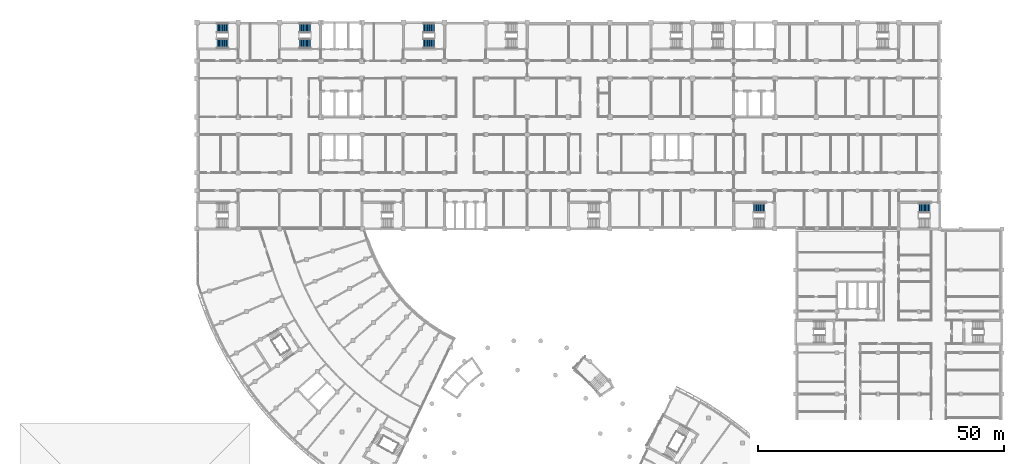
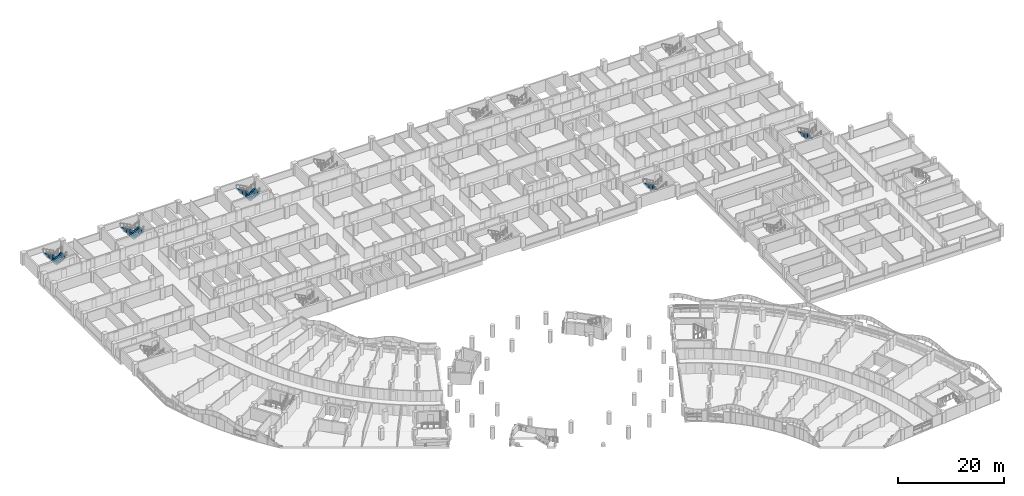
# One storey, part 66 of 89: 8 stair flights, 5 elements without a shape of their own.
"""IFC4 building model written with IfcOpenShell, lengths in metres."""

from ifc_helpers import new_model, si_unit, direction, frame, origin, place, context, subcontext, project, spatial, polyline, outline, extrude, material, type_object, element, aggregate, save


model = new_model("IFC4")

# Units and contexts
model_context = context("Model", 3, precision=1e-05, world=origin(), true_north=direction((0.0, 1.0)))
body_context = subcontext(model_context, "Body", "Model", "MODEL_VIEW")
ifc_project = project(units=[si_unit("LENGTHUNIT", "METRE"), si_unit("AREAUNIT", "SQUARE_METRE"), si_unit("VOLUMEUNIT", "CUBIC_METRE"), si_unit("PLANEANGLEUNIT", "RADIAN"), si_unit("MASSUNIT", "GRAM", prefix="KILO")], contexts=[model_context])

# Site, building, storey
site_placement = place(None, origin())
site = spatial("IfcSite", under=ifc_project, at=site_placement, CompositionType="ELEMENT")
building_placement = place(site_placement, origin())
building = spatial("IfcBuilding", under=site, at=building_placement, Name="Bougainvillea Quay General Hospital", CompositionType="ELEMENT")
storey_placement = place(building_placement, frame((0.0, 0.0, 9.89990234375)))
storey = spatial("IfcBuildingStorey", under=building, at=storey_placement, Name="L01M", CompositionType="ELEMENT", Elevation=9.89990234375)

# Stair, stair flights
ifc_material = material(Name="Concrete C35", Category="concrete")
stair_type = type_object("IfcStairType", Name="Stair half-turn 1925 wide", PredefinedType="HALF_TURN_STAIR", material=ifc_material)
stair_1_placement = place(storey_placement, origin())
stair_1 = element("IfcStair", 1, at=stair_1_placement, inside=storey, type_object=stair_type, Name="L01M stair ST-D1", PredefinedType="HALF_TURN_STAIR")
stair_flight_type = type_object("IfcStairFlightType", Name="Stair flight 1925", PredefinedType="STRAIGHT", material=ifc_material)
stair_flight_1_placement = place(storey_placement, frame((65.10009765625, 158.46240234375, 0.0), z_axis=(0.0, 0.0, 1.0), x_axis=(-1.0, 0.0, 0.0)))
stair_flight_1 = element("IfcStairFlight", 2, at=stair_flight_1_placement, type_object=stair_flight_type, Name="ST-D1 flight 1", NumberOfRisers=9, NumberOfTreads=8, PredefinedType="STRAIGHT", RiserHeight=0.15, TreadLength=0.28, context=body_context, shape_type="SweptSolid", body=[
    extrude(outline(polyline([(-0.0029296875, 0.0), (-0.0029296875, 0.003662109375), (-0.0029296875, 0.00732421875), (-0.0029296875, 0.010986328125), (-0.0029296875, 0.0146484375), (-0.0029296875, 0.018310546875), (-0.0029296875, 0.02197265625), (-0.0029296875, 0.025634765625), (-0.0029296875, 0.029296875), (-0.0029296875, 0.032958984375), (-0.0029296875, 0.03662109375), (-0.0029296875, 0.040283203125), (-0.0029296875, 0.0439453125), (-0.0029296875, 0.047607421875), (-0.0029296875, 0.05126953125), (-0.0029296875, 0.054931640625), (-0.0029296875, 0.05859375), (-0.0029296875, 0.062255859375), (-0.0029296875, 0.06591796875), (-0.0029296875, 0.069580078125), (-0.0029296875, 0.0732421875), (-0.0029296875, 0.076904296875), (-0.0029296875, 0.08056640625), (-0.0029296875, 0.084228515625), (-0.0029296875, 0.087890625), (-0.0029296875, 0.091552734375), (-0.0029296875, 0.09521484375), (-0.0029296875, 0.098876953125), (-0.0029296875, 0.1025390625), (-0.0029296875, 0.106201171875), (-0.0029296875, 0.10986328125), (-0.0029296875, 0.113525390625), (-0.0029296875, 0.1171875), (-0.0029296875, 0.120849609375), (-0.0029296875, 0.12451171875), (-0.0029296875, 0.1279296875), (-0.0029296875, 0.131591796875), (-0.0029296875, 0.13525390625), (-0.0029296875, 0.138916015625), (-0.0029296875, 0.142578125), (-0.0029296875, 0.146240234375), (-0.0029296875, 0.14990234375), (0.280029296875, 0.14990234375), (0.280029296875, 0.300048828125), (0.56005859375, 0.300048828125), (0.56005859375, 0.449951171875), (0.840087890625, 0.449951171875), (0.840087890625, 0.60009765625), (1.1201171875, 0.60009765625), (1.1201171875, 0.75), (1.39990234375, 0.75), (1.39990234375, 0.89990234375), (1.679931640625, 0.89990234375), (1.679931640625, 1.050048828125), (1.9599609375, 1.050048828125), (1.9599609375, 1.199951171875), (2.242919921875, 1.199951171875), (2.242919921875, 1.19580078125), (2.242919921875, 1.191650390625), (2.242919921875, 1.1875), (2.242919921875, 1.183349609375), (2.242919921875, 1.17919921875), (2.242919921875, 1.175048828125), (2.242919921875, 1.1708984375), (2.242919921875, 1.166748046875), (2.242919921875, 1.16259765625), (2.242919921875, 1.158447265625), (2.242919921875, 1.154296875), (2.242919921875, 1.150146484375), (2.242919921875, 1.14599609375), (2.242919921875, 1.141845703125), (2.242919921875, 1.1376953125), (2.242919921875, 1.133544921875), (2.242919921875, 1.12939453125), (2.242919921875, 1.125244140625), (2.242919921875, 1.12109375), (2.242919921875, 1.116943359375), (2.242919921875, 1.11279296875), (2.242919921875, 1.108642578125), (2.242919921875, 1.1044921875), (2.242919921875, 1.100341796875), (2.242919921875, 1.09619140625), (2.242919921875, 1.092041015625), (2.242919921875, 1.087890625), (2.242919921875, 1.083984375), (2.242919921875, 1.079833984375), (2.242919921875, 1.07568359375), (2.242919921875, 1.071533203125), (2.242919921875, 1.0673828125), (2.242919921875, 1.063232421875), (2.242919921875, 1.05908203125), (2.242919921875, 1.054931640625), (2.242919921875, 1.05078125), (2.242919921875, 1.046630859375), (2.242919921875, 1.04248046875), (2.242919921875, 1.038330078125), (2.242919921875, 1.0341796875), (2.242919921875, 1.030029296875), (0.3173828125, 0.0), (-0.0029296875, 0.0)])), frame((0.0, 0.96240234375, 0.0), z_axis=(0.0, -1.0, 0.0), x_axis=(1.0, 0.0, 0.0)), (0.0, 0.0, 1.0), 1.925048828125),
])
stair_flight_2_placement = place(storey_placement, frame((62.860107421875, 155.33740234375, 1.35009765625), z_axis=(0.0, 0.0, 1.0), x_axis=(1.0, 0.0, 0.0)))
stair_flight_2 = element("IfcStairFlight", 3, at=stair_flight_2_placement, type_object=stair_flight_type, Name="ST-D1 flight 2", NumberOfRisers=9, NumberOfTreads=8, PredefinedType="STRAIGHT", RiserHeight=0.15, TreadLength=0.28, context=body_context, shape_type="SweptSolid", body=[
    extrude(outline(polyline([(-0.0029296875, 0.0), (-0.0029296875, 0.003662109375), (-0.0029296875, 0.00732421875), (-0.0029296875, 0.010986328125), (-0.0029296875, 0.0146484375), (-0.0029296875, 0.018310546875), (-0.0029296875, 0.02197265625), (-0.0029296875, 0.025634765625), (-0.0029296875, 0.029296875), (-0.0029296875, 0.032958984375), (-0.0029296875, 0.03662109375), (-0.0029296875, 0.040283203125), (-0.0029296875, 0.0439453125), (-0.0029296875, 0.047607421875), (-0.0029296875, 0.05126953125), (-0.0029296875, 0.054931640625), (-0.0029296875, 0.05859375), (-0.0029296875, 0.062255859375), (-0.0029296875, 0.06591796875), (-0.0029296875, 0.069580078125), (-0.0029296875, 0.0732421875), (-0.0029296875, 0.076904296875), (-0.0029296875, 0.08056640625), (-0.0029296875, 0.084228515625), (-0.0029296875, 0.087890625), (-0.0029296875, 0.091552734375), (-0.0029296875, 0.09521484375), (-0.0029296875, 0.098876953125), (-0.0029296875, 0.1025390625), (-0.0029296875, 0.106201171875), (-0.0029296875, 0.10986328125), (-0.0029296875, 0.113525390625), (-0.0029296875, 0.1171875), (-0.0029296875, 0.120849609375), (-0.0029296875, 0.12451171875), (-0.0029296875, 0.1279296875), (-0.0029296875, 0.131591796875), (-0.0029296875, 0.13525390625), (-0.0029296875, 0.138916015625), (-0.0029296875, 0.142578125), (-0.0029296875, 0.146240234375), (-0.0029296875, 0.14990234375), (0.280029296875, 0.14990234375), (0.280029296875, 0.300048828125), (0.56005859375, 0.300048828125), (0.56005859375, 0.449951171875), (0.840087890625, 0.449951171875), (0.840087890625, 0.60009765625), (1.1201171875, 0.60009765625), (1.1201171875, 0.75), (1.39990234375, 0.75), (1.39990234375, 0.89990234375), (1.679931640625, 0.89990234375), (1.679931640625, 1.050048828125), (1.9599609375, 1.050048828125), (1.9599609375, 1.199951171875), (2.242919921875, 1.199951171875), (2.242919921875, 1.19580078125), (2.242919921875, 1.191650390625), (2.242919921875, 1.1875), (2.242919921875, 1.183349609375), (2.242919921875, 1.17919921875), (2.242919921875, 1.175048828125), (2.242919921875, 1.1708984375), (2.242919921875, 1.166748046875), (2.242919921875, 1.16259765625), (2.242919921875, 1.158447265625), (2.242919921875, 1.154296875), (2.242919921875, 1.150146484375), (2.242919921875, 1.14599609375), (2.242919921875, 1.141845703125), (2.242919921875, 1.1376953125), (2.242919921875, 1.133544921875), (2.242919921875, 1.12939453125), (2.242919921875, 1.125244140625), (2.242919921875, 1.12109375), (2.242919921875, 1.116943359375), (2.242919921875, 1.11279296875), (2.242919921875, 1.108642578125), (2.242919921875, 1.1044921875), (2.242919921875, 1.100341796875), (2.242919921875, 1.09619140625), (2.242919921875, 1.092041015625), (2.242919921875, 1.087890625), (2.242919921875, 1.083984375), (2.242919921875, 1.079833984375), (2.242919921875, 1.07568359375), (2.242919921875, 1.071533203125), (2.242919921875, 1.0673828125), (2.242919921875, 1.063232421875), (2.242919921875, 1.05908203125), (2.242919921875, 1.054931640625), (2.242919921875, 1.05078125), (2.242919921875, 1.046630859375), (2.242919921875, 1.04248046875), (2.242919921875, 1.038330078125), (2.242919921875, 1.0341796875), (2.242919921875, 1.030029296875), (0.3173828125, 0.0), (-0.0029296875, 0.0)])), frame((0.0, 0.96240234375, 0.0), z_axis=(0.0, -1.0, 0.0), x_axis=(1.0, 0.0, 0.0)), (0.0, 0.0, 1.0), 1.925048828125),
])
aggregate(stair_1, [stair_flight_1, stair_flight_2])

# Stair, stair flight
stair_2_placement = place(storey_placement, origin())
stair_2 = element("IfcStair", 4, at=stair_2_placement, inside=storey, type_object=stair_type, Name="L01M stair ST-D4", PredefinedType="HALF_TURN_STAIR")
stair_flight_3_placement = place(storey_placement, frame((191.10009765625, 121.862548828125, 0.0), z_axis=(0.0, 0.0, 1.0), x_axis=(-1.0, 0.0, 0.0)))
stair_flight_3 = element("IfcStairFlight", 5, at=stair_flight_3_placement, type_object=stair_flight_type, Name="ST-D4 flight 1", NumberOfRisers=9, NumberOfTreads=8, PredefinedType="STRAIGHT", RiserHeight=0.15, TreadLength=0.28, context=body_context, shape_type="SweptSolid", body=[
    extrude(outline(polyline([(-0.0029296875, 0.0), (-0.0029296875, 0.003662109375), (-0.0029296875, 0.00732421875), (-0.0029296875, 0.010986328125), (-0.0029296875, 0.0146484375), (-0.0029296875, 0.018310546875), (-0.0029296875, 0.02197265625), (-0.0029296875, 0.025634765625), (-0.0029296875, 0.029296875), (-0.0029296875, 0.032958984375), (-0.0029296875, 0.03662109375), (-0.0029296875, 0.040283203125), (-0.0029296875, 0.0439453125), (-0.0029296875, 0.047607421875), (-0.0029296875, 0.05126953125), (-0.0029296875, 0.054931640625), (-0.0029296875, 0.05859375), (-0.0029296875, 0.062255859375), (-0.0029296875, 0.06591796875), (-0.0029296875, 0.069580078125), (-0.0029296875, 0.0732421875), (-0.0029296875, 0.076904296875), (-0.0029296875, 0.08056640625), (-0.0029296875, 0.084228515625), (-0.0029296875, 0.087890625), (-0.0029296875, 0.091552734375), (-0.0029296875, 0.09521484375), (-0.0029296875, 0.098876953125), (-0.0029296875, 0.1025390625), (-0.0029296875, 0.106201171875), (-0.0029296875, 0.10986328125), (-0.0029296875, 0.113525390625), (-0.0029296875, 0.1171875), (-0.0029296875, 0.120849609375), (-0.0029296875, 0.12451171875), (-0.0029296875, 0.1279296875), (-0.0029296875, 0.131591796875), (-0.0029296875, 0.13525390625), (-0.0029296875, 0.138916015625), (-0.0029296875, 0.142578125), (-0.0029296875, 0.146240234375), (-0.0029296875, 0.14990234375), (0.280029296875, 0.14990234375), (0.280029296875, 0.300048828125), (0.56005859375, 0.300048828125), (0.56005859375, 0.449951171875), (0.840087890625, 0.449951171875), (0.840087890625, 0.60009765625), (1.1201171875, 0.60009765625), (1.1201171875, 0.75), (1.39990234375, 0.75), (1.39990234375, 0.89990234375), (1.679931640625, 0.89990234375), (1.679931640625, 1.050048828125), (1.9599609375, 1.050048828125), (1.9599609375, 1.199951171875), (2.242919921875, 1.199951171875), (2.242919921875, 1.19580078125), (2.242919921875, 1.191650390625), (2.242919921875, 1.1875), (2.242919921875, 1.183349609375), (2.242919921875, 1.17919921875), (2.242919921875, 1.175048828125), (2.242919921875, 1.1708984375), (2.242919921875, 1.166748046875), (2.242919921875, 1.16259765625), (2.242919921875, 1.158447265625), (2.242919921875, 1.154296875), (2.242919921875, 1.150146484375), (2.242919921875, 1.14599609375), (2.242919921875, 1.141845703125), (2.242919921875, 1.1376953125), (2.242919921875, 1.133544921875), (2.242919921875, 1.12939453125), (2.242919921875, 1.125244140625), (2.242919921875, 1.12109375), (2.242919921875, 1.116943359375), (2.242919921875, 1.11279296875), (2.242919921875, 1.108642578125), (2.242919921875, 1.1044921875), (2.242919921875, 1.100341796875), (2.242919921875, 1.09619140625), (2.242919921875, 1.092041015625), (2.242919921875, 1.087890625), (2.242919921875, 1.083984375), (2.242919921875, 1.079833984375), (2.242919921875, 1.07568359375), (2.242919921875, 1.071533203125), (2.242919921875, 1.0673828125), (2.242919921875, 1.063232421875), (2.242919921875, 1.05908203125), (2.242919921875, 1.054931640625), (2.242919921875, 1.05078125), (2.242919921875, 1.046630859375), (2.242919921875, 1.04248046875), (2.242919921875, 1.038330078125), (2.242919921875, 1.0341796875), (2.242919921875, 1.030029296875), (0.3173828125, 0.0), (-0.0029296875, 0.0)])), frame((0.0, 0.96240234375, 0.0), z_axis=(0.0, -1.0, 0.0), x_axis=(1.0, 0.0, 0.0)), (0.0, 0.0, 1.0), 1.925048828125),
])
aggregate(stair_2, [stair_flight_3])

# Stair, stair flights
stair_3_placement = place(storey_placement, origin())
stair_3 = element("IfcStair", 6, at=stair_3_placement, inside=storey, type_object=stair_type, Name="L01M stair ST-A1", PredefinedType="HALF_TURN_STAIR")
stair_flight_4_placement = place(storey_placement, frame((48.300048828125, 158.46240234375, 0.0), z_axis=(0.0, 0.0, 1.0), x_axis=(-1.0, 0.0, 0.0)))
stair_flight_4 = element("IfcStairFlight", 7, at=stair_flight_4_placement, type_object=stair_flight_type, Name="ST-A1 flight 1", NumberOfRisers=9, NumberOfTreads=8, PredefinedType="STRAIGHT", RiserHeight=0.15, TreadLength=0.28, context=body_context, shape_type="SweptSolid", body=[
    extrude(outline(polyline([(-0.0029296875, 0.0), (-0.0029296875, 0.003662109375), (-0.0029296875, 0.00732421875), (-0.0029296875, 0.010986328125), (-0.0029296875, 0.0146484375), (-0.0029296875, 0.018310546875), (-0.0029296875, 0.02197265625), (-0.0029296875, 0.025634765625), (-0.0029296875, 0.029296875), (-0.0029296875, 0.032958984375), (-0.0029296875, 0.03662109375), (-0.0029296875, 0.040283203125), (-0.0029296875, 0.0439453125), (-0.0029296875, 0.047607421875), (-0.0029296875, 0.05126953125), (-0.0029296875, 0.054931640625), (-0.0029296875, 0.05859375), (-0.0029296875, 0.062255859375), (-0.0029296875, 0.06591796875), (-0.0029296875, 0.069580078125), (-0.0029296875, 0.0732421875), (-0.0029296875, 0.076904296875), (-0.0029296875, 0.08056640625), (-0.0029296875, 0.084228515625), (-0.0029296875, 0.087890625), (-0.0029296875, 0.091552734375), (-0.0029296875, 0.09521484375), (-0.0029296875, 0.098876953125), (-0.0029296875, 0.1025390625), (-0.0029296875, 0.106201171875), (-0.0029296875, 0.10986328125), (-0.0029296875, 0.113525390625), (-0.0029296875, 0.1171875), (-0.0029296875, 0.120849609375), (-0.0029296875, 0.12451171875), (-0.0029296875, 0.1279296875), (-0.0029296875, 0.131591796875), (-0.0029296875, 0.13525390625), (-0.0029296875, 0.138916015625), (-0.0029296875, 0.142578125), (-0.0029296875, 0.146240234375), (-0.0029296875, 0.14990234375), (0.280029296875, 0.14990234375), (0.280029296875, 0.300048828125), (0.56005859375, 0.300048828125), (0.56005859375, 0.449951171875), (0.840087890625, 0.449951171875), (0.840087890625, 0.60009765625), (1.1201171875, 0.60009765625), (1.1201171875, 0.75), (1.39990234375, 0.75), (1.39990234375, 0.89990234375), (1.679931640625, 0.89990234375), (1.679931640625, 1.050048828125), (1.9599609375, 1.050048828125), (1.9599609375, 1.199951171875), (2.242919921875, 1.199951171875), (2.242919921875, 1.19580078125), (2.242919921875, 1.191650390625), (2.242919921875, 1.1875), (2.242919921875, 1.183349609375), (2.242919921875, 1.17919921875), (2.242919921875, 1.175048828125), (2.242919921875, 1.1708984375), (2.242919921875, 1.166748046875), (2.242919921875, 1.16259765625), (2.242919921875, 1.158447265625), (2.242919921875, 1.154296875), (2.242919921875, 1.150146484375), (2.242919921875, 1.14599609375), (2.242919921875, 1.141845703125), (2.242919921875, 1.1376953125), (2.242919921875, 1.133544921875), (2.242919921875, 1.12939453125), (2.242919921875, 1.125244140625), (2.242919921875, 1.12109375), (2.242919921875, 1.116943359375), (2.242919921875, 1.11279296875), (2.242919921875, 1.108642578125), (2.242919921875, 1.1044921875), (2.242919921875, 1.100341796875), (2.242919921875, 1.09619140625), (2.242919921875, 1.092041015625), (2.242919921875, 1.087890625), (2.242919921875, 1.083984375), (2.242919921875, 1.079833984375), (2.242919921875, 1.07568359375), (2.242919921875, 1.071533203125), (2.242919921875, 1.0673828125), (2.242919921875, 1.063232421875), (2.242919921875, 1.05908203125), (2.242919921875, 1.054931640625), (2.242919921875, 1.05078125), (2.242919921875, 1.046630859375), (2.242919921875, 1.04248046875), (2.242919921875, 1.038330078125), (2.242919921875, 1.0341796875), (2.242919921875, 1.030029296875), (0.3173828125, 0.0), (-0.0029296875, 0.0)])), frame((0.0, 0.96240234375, 0.0), z_axis=(0.0, -1.0, 0.0), x_axis=(1.0, 0.0, 0.0)), (0.0, 0.0, 1.0), 1.925048828125),
])
stair_flight_5_placement = place(storey_placement, frame((46.06005859375, 155.33740234375, 1.35009765625), z_axis=(0.0, 0.0, 1.0), x_axis=(1.0, 0.0, 0.0)))
stair_flight_5 = element("IfcStairFlight", 8, at=stair_flight_5_placement, type_object=stair_flight_type, Name="ST-A1 flight 2", NumberOfRisers=9, NumberOfTreads=8, PredefinedType="STRAIGHT", RiserHeight=0.15, TreadLength=0.28, context=body_context, shape_type="SweptSolid", body=[
    extrude(outline(polyline([(-0.0029296875, 0.0), (-0.0029296875, 0.003662109375), (-0.0029296875, 0.00732421875), (-0.0029296875, 0.010986328125), (-0.0029296875, 0.0146484375), (-0.0029296875, 0.018310546875), (-0.0029296875, 0.02197265625), (-0.0029296875, 0.025634765625), (-0.0029296875, 0.029296875), (-0.0029296875, 0.032958984375), (-0.0029296875, 0.03662109375), (-0.0029296875, 0.040283203125), (-0.0029296875, 0.0439453125), (-0.0029296875, 0.047607421875), (-0.0029296875, 0.05126953125), (-0.0029296875, 0.054931640625), (-0.0029296875, 0.05859375), (-0.0029296875, 0.062255859375), (-0.0029296875, 0.06591796875), (-0.0029296875, 0.069580078125), (-0.0029296875, 0.0732421875), (-0.0029296875, 0.076904296875), (-0.0029296875, 0.08056640625), (-0.0029296875, 0.084228515625), (-0.0029296875, 0.087890625), (-0.0029296875, 0.091552734375), (-0.0029296875, 0.09521484375), (-0.0029296875, 0.098876953125), (-0.0029296875, 0.1025390625), (-0.0029296875, 0.106201171875), (-0.0029296875, 0.10986328125), (-0.0029296875, 0.113525390625), (-0.0029296875, 0.1171875), (-0.0029296875, 0.120849609375), (-0.0029296875, 0.12451171875), (-0.0029296875, 0.1279296875), (-0.0029296875, 0.131591796875), (-0.0029296875, 0.13525390625), (-0.0029296875, 0.138916015625), (-0.0029296875, 0.142578125), (-0.0029296875, 0.146240234375), (-0.0029296875, 0.14990234375), (0.280029296875, 0.14990234375), (0.280029296875, 0.300048828125), (0.56005859375, 0.300048828125), (0.56005859375, 0.449951171875), (0.840087890625, 0.449951171875), (0.840087890625, 0.60009765625), (1.1201171875, 0.60009765625), (1.1201171875, 0.75), (1.39990234375, 0.75), (1.39990234375, 0.89990234375), (1.679931640625, 0.89990234375), (1.679931640625, 1.050048828125), (1.9599609375, 1.050048828125), (1.9599609375, 1.199951171875), (2.242919921875, 1.199951171875), (2.242919921875, 1.19580078125), (2.242919921875, 1.191650390625), (2.242919921875, 1.1875), (2.242919921875, 1.183349609375), (2.242919921875, 1.17919921875), (2.242919921875, 1.175048828125), (2.242919921875, 1.1708984375), (2.242919921875, 1.166748046875), (2.242919921875, 1.16259765625), (2.242919921875, 1.158447265625), (2.242919921875, 1.154296875), (2.242919921875, 1.150146484375), (2.242919921875, 1.14599609375), (2.242919921875, 1.141845703125), (2.242919921875, 1.1376953125), (2.242919921875, 1.133544921875), (2.242919921875, 1.12939453125), (2.242919921875, 1.125244140625), (2.242919921875, 1.12109375), (2.242919921875, 1.116943359375), (2.242919921875, 1.11279296875), (2.242919921875, 1.108642578125), (2.242919921875, 1.1044921875), (2.242919921875, 1.100341796875), (2.242919921875, 1.09619140625), (2.242919921875, 1.092041015625), (2.242919921875, 1.087890625), (2.242919921875, 1.083984375), (2.242919921875, 1.079833984375), (2.242919921875, 1.07568359375), (2.242919921875, 1.071533203125), (2.242919921875, 1.0673828125), (2.242919921875, 1.063232421875), (2.242919921875, 1.05908203125), (2.242919921875, 1.054931640625), (2.242919921875, 1.05078125), (2.242919921875, 1.046630859375), (2.242919921875, 1.04248046875), (2.242919921875, 1.038330078125), (2.242919921875, 1.0341796875), (2.242919921875, 1.030029296875), (0.3173828125, 0.0), (-0.0029296875, 0.0)])), frame((0.0, 0.96240234375, 0.0), z_axis=(0.0, -1.0, 0.0), x_axis=(1.0, 0.0, 0.0)), (0.0, 0.0, 1.0), 1.925048828125),
])
aggregate(stair_3, [stair_flight_4, stair_flight_5])

stair_4_placement = place(storey_placement, origin())
stair_4 = element("IfcStair", 9, at=stair_4_placement, inside=storey, type_object=stair_type, Name="L01M stair ST-A2", PredefinedType="HALF_TURN_STAIR")
stair_flight_6_placement = place(storey_placement, frame((90.300048828125, 158.46240234375, 0.0), z_axis=(0.0, 0.0, 1.0), x_axis=(-1.0, 0.0, 0.0)))
stair_flight_6 = element("IfcStairFlight", 10, at=stair_flight_6_placement, type_object=stair_flight_type, Name="ST-A2 flight 1", NumberOfRisers=9, NumberOfTreads=8, PredefinedType="STRAIGHT", RiserHeight=0.15, TreadLength=0.28, context=body_context, shape_type="SweptSolid", body=[
    extrude(outline(polyline([(-0.0029296875, 0.0), (-0.0029296875, 0.003662109375), (-0.0029296875, 0.00732421875), (-0.0029296875, 0.010986328125), (-0.0029296875, 0.0146484375), (-0.0029296875, 0.018310546875), (-0.0029296875, 0.02197265625), (-0.0029296875, 0.025634765625), (-0.0029296875, 0.029296875), (-0.0029296875, 0.032958984375), (-0.0029296875, 0.03662109375), (-0.0029296875, 0.040283203125), (-0.0029296875, 0.0439453125), (-0.0029296875, 0.047607421875), (-0.0029296875, 0.05126953125), (-0.0029296875, 0.054931640625), (-0.0029296875, 0.05859375), (-0.0029296875, 0.062255859375), (-0.0029296875, 0.06591796875), (-0.0029296875, 0.069580078125), (-0.0029296875, 0.0732421875), (-0.0029296875, 0.076904296875), (-0.0029296875, 0.08056640625), (-0.0029296875, 0.084228515625), (-0.0029296875, 0.087890625), (-0.0029296875, 0.091552734375), (-0.0029296875, 0.09521484375), (-0.0029296875, 0.098876953125), (-0.0029296875, 0.1025390625), (-0.0029296875, 0.106201171875), (-0.0029296875, 0.10986328125), (-0.0029296875, 0.113525390625), (-0.0029296875, 0.1171875), (-0.0029296875, 0.120849609375), (-0.0029296875, 0.12451171875), (-0.0029296875, 0.1279296875), (-0.0029296875, 0.131591796875), (-0.0029296875, 0.13525390625), (-0.0029296875, 0.138916015625), (-0.0029296875, 0.142578125), (-0.0029296875, 0.146240234375), (-0.0029296875, 0.14990234375), (0.280029296875, 0.14990234375), (0.280029296875, 0.300048828125), (0.56005859375, 0.300048828125), (0.56005859375, 0.449951171875), (0.840087890625, 0.449951171875), (0.840087890625, 0.60009765625), (1.1201171875, 0.60009765625), (1.1201171875, 0.75), (1.39990234375, 0.75), (1.39990234375, 0.89990234375), (1.679931640625, 0.89990234375), (1.679931640625, 1.050048828125), (1.9599609375, 1.050048828125), (1.9599609375, 1.199951171875), (2.242919921875, 1.199951171875), (2.242919921875, 1.19580078125), (2.242919921875, 1.191650390625), (2.242919921875, 1.1875), (2.242919921875, 1.183349609375), (2.242919921875, 1.17919921875), (2.242919921875, 1.175048828125), (2.242919921875, 1.1708984375), (2.242919921875, 1.166748046875), (2.242919921875, 1.16259765625), (2.242919921875, 1.158447265625), (2.242919921875, 1.154296875), (2.242919921875, 1.150146484375), (2.242919921875, 1.14599609375), (2.242919921875, 1.141845703125), (2.242919921875, 1.1376953125), (2.242919921875, 1.133544921875), (2.242919921875, 1.12939453125), (2.242919921875, 1.125244140625), (2.242919921875, 1.12109375), (2.242919921875, 1.116943359375), (2.242919921875, 1.11279296875), (2.242919921875, 1.108642578125), (2.242919921875, 1.1044921875), (2.242919921875, 1.100341796875), (2.242919921875, 1.09619140625), (2.242919921875, 1.092041015625), (2.242919921875, 1.087890625), (2.242919921875, 1.083984375), (2.242919921875, 1.079833984375), (2.242919921875, 1.07568359375), (2.242919921875, 1.071533203125), (2.242919921875, 1.0673828125), (2.242919921875, 1.063232421875), (2.242919921875, 1.05908203125), (2.242919921875, 1.054931640625), (2.242919921875, 1.05078125), (2.242919921875, 1.046630859375), (2.242919921875, 1.04248046875), (2.242919921875, 1.038330078125), (2.242919921875, 1.0341796875), (2.242919921875, 1.030029296875), (0.3173828125, 0.0), (-0.0029296875, 0.0)])), frame((0.0, 0.96240234375, 0.0), z_axis=(0.0, -1.0, 0.0), x_axis=(1.0, 0.0, 0.0)), (0.0, 0.0, 1.0), 1.925048828125),
])
stair_flight_7_placement = place(storey_placement, frame((88.06005859375, 155.33740234375, 1.35009765625), z_axis=(0.0, 0.0, 1.0), x_axis=(1.0, 0.0, 0.0)))
stair_flight_7 = element("IfcStairFlight", 11, at=stair_flight_7_placement, type_object=stair_flight_type, Name="ST-A2 flight 2", NumberOfRisers=9, NumberOfTreads=8, PredefinedType="STRAIGHT", RiserHeight=0.15, TreadLength=0.28, context=body_context, shape_type="SweptSolid", body=[
    extrude(outline(polyline([(-0.0029296875, 0.0), (-0.0029296875, 0.003662109375), (-0.0029296875, 0.00732421875), (-0.0029296875, 0.010986328125), (-0.0029296875, 0.0146484375), (-0.0029296875, 0.018310546875), (-0.0029296875, 0.02197265625), (-0.0029296875, 0.025634765625), (-0.0029296875, 0.029296875), (-0.0029296875, 0.032958984375), (-0.0029296875, 0.03662109375), (-0.0029296875, 0.040283203125), (-0.0029296875, 0.0439453125), (-0.0029296875, 0.047607421875), (-0.0029296875, 0.05126953125), (-0.0029296875, 0.054931640625), (-0.0029296875, 0.05859375), (-0.0029296875, 0.062255859375), (-0.0029296875, 0.06591796875), (-0.0029296875, 0.069580078125), (-0.0029296875, 0.0732421875), (-0.0029296875, 0.076904296875), (-0.0029296875, 0.08056640625), (-0.0029296875, 0.084228515625), (-0.0029296875, 0.087890625), (-0.0029296875, 0.091552734375), (-0.0029296875, 0.09521484375), (-0.0029296875, 0.098876953125), (-0.0029296875, 0.1025390625), (-0.0029296875, 0.106201171875), (-0.0029296875, 0.10986328125), (-0.0029296875, 0.113525390625), (-0.0029296875, 0.1171875), (-0.0029296875, 0.120849609375), (-0.0029296875, 0.12451171875), (-0.0029296875, 0.1279296875), (-0.0029296875, 0.131591796875), (-0.0029296875, 0.13525390625), (-0.0029296875, 0.138916015625), (-0.0029296875, 0.142578125), (-0.0029296875, 0.146240234375), (-0.0029296875, 0.14990234375), (0.280029296875, 0.14990234375), (0.280029296875, 0.300048828125), (0.56005859375, 0.300048828125), (0.56005859375, 0.449951171875), (0.840087890625, 0.449951171875), (0.840087890625, 0.60009765625), (1.1201171875, 0.60009765625), (1.1201171875, 0.75), (1.39990234375, 0.75), (1.39990234375, 0.89990234375), (1.679931640625, 0.89990234375), (1.679931640625, 1.050048828125), (1.9599609375, 1.050048828125), (1.9599609375, 1.199951171875), (2.242919921875, 1.199951171875), (2.242919921875, 1.19580078125), (2.242919921875, 1.191650390625), (2.242919921875, 1.1875), (2.242919921875, 1.183349609375), (2.242919921875, 1.17919921875), (2.242919921875, 1.175048828125), (2.242919921875, 1.1708984375), (2.242919921875, 1.166748046875), (2.242919921875, 1.16259765625), (2.242919921875, 1.158447265625), (2.242919921875, 1.154296875), (2.242919921875, 1.150146484375), (2.242919921875, 1.14599609375), (2.242919921875, 1.141845703125), (2.242919921875, 1.1376953125), (2.242919921875, 1.133544921875), (2.242919921875, 1.12939453125), (2.242919921875, 1.125244140625), (2.242919921875, 1.12109375), (2.242919921875, 1.116943359375), (2.242919921875, 1.11279296875), (2.242919921875, 1.108642578125), (2.242919921875, 1.1044921875), (2.242919921875, 1.100341796875), (2.242919921875, 1.09619140625), (2.242919921875, 1.092041015625), (2.242919921875, 1.087890625), (2.242919921875, 1.083984375), (2.242919921875, 1.079833984375), (2.242919921875, 1.07568359375), (2.242919921875, 1.071533203125), (2.242919921875, 1.0673828125), (2.242919921875, 1.063232421875), (2.242919921875, 1.05908203125), (2.242919921875, 1.054931640625), (2.242919921875, 1.05078125), (2.242919921875, 1.046630859375), (2.242919921875, 1.04248046875), (2.242919921875, 1.038330078125), (2.242919921875, 1.0341796875), (2.242919921875, 1.030029296875), (0.3173828125, 0.0), (-0.0029296875, 0.0)])), frame((0.0, 0.96240234375, 0.0), z_axis=(0.0, -1.0, 0.0), x_axis=(1.0, 0.0, 0.0)), (0.0, 0.0, 1.0), 1.925048828125),
])
aggregate(stair_4, [stair_flight_6, stair_flight_7])

# Stair, stair flight
stair_5_placement = place(storey_placement, origin())
stair_5 = element("IfcStair", 12, at=stair_5_placement, inside=storey, type_object=stair_type, Name="L01M stair ST-B4", PredefinedType="HALF_TURN_STAIR")
stair_flight_8_placement = place(storey_placement, frame((157.5, 121.862548828125, 0.0), z_axis=(0.0, 0.0, 1.0), x_axis=(-1.0, 0.0, 0.0)))
stair_flight_8 = element("IfcStairFlight", 13, at=stair_flight_8_placement, type_object=stair_flight_type, Name="ST-B4 flight 1", NumberOfRisers=9, NumberOfTreads=8, PredefinedType="STRAIGHT", RiserHeight=0.15, TreadLength=0.28, context=body_context, shape_type="SweptSolid", body=[
    extrude(outline(polyline([(-0.0029296875, 0.0), (-0.0029296875, 0.003662109375), (-0.0029296875, 0.00732421875), (-0.0029296875, 0.010986328125), (-0.0029296875, 0.0146484375), (-0.0029296875, 0.018310546875), (-0.0029296875, 0.02197265625), (-0.0029296875, 0.025634765625), (-0.0029296875, 0.029296875), (-0.0029296875, 0.032958984375), (-0.0029296875, 0.03662109375), (-0.0029296875, 0.040283203125), (-0.0029296875, 0.0439453125), (-0.0029296875, 0.047607421875), (-0.0029296875, 0.05126953125), (-0.0029296875, 0.054931640625), (-0.0029296875, 0.05859375), (-0.0029296875, 0.062255859375), (-0.0029296875, 0.06591796875), (-0.0029296875, 0.069580078125), (-0.0029296875, 0.0732421875), (-0.0029296875, 0.076904296875), (-0.0029296875, 0.08056640625), (-0.0029296875, 0.084228515625), (-0.0029296875, 0.087890625), (-0.0029296875, 0.091552734375), (-0.0029296875, 0.09521484375), (-0.0029296875, 0.098876953125), (-0.0029296875, 0.1025390625), (-0.0029296875, 0.106201171875), (-0.0029296875, 0.10986328125), (-0.0029296875, 0.113525390625), (-0.0029296875, 0.1171875), (-0.0029296875, 0.120849609375), (-0.0029296875, 0.12451171875), (-0.0029296875, 0.1279296875), (-0.0029296875, 0.131591796875), (-0.0029296875, 0.13525390625), (-0.0029296875, 0.138916015625), (-0.0029296875, 0.142578125), (-0.0029296875, 0.146240234375), (-0.0029296875, 0.14990234375), (0.280029296875, 0.14990234375), (0.280029296875, 0.300048828125), (0.56005859375, 0.300048828125), (0.56005859375, 0.449951171875), (0.840087890625, 0.449951171875), (0.840087890625, 0.60009765625), (1.1201171875, 0.60009765625), (1.1201171875, 0.75), (1.39990234375, 0.75), (1.39990234375, 0.89990234375), (1.679931640625, 0.89990234375), (1.679931640625, 1.050048828125), (1.9599609375, 1.050048828125), (1.9599609375, 1.199951171875), (2.242919921875, 1.199951171875), (2.242919921875, 1.19580078125), (2.242919921875, 1.191650390625), (2.242919921875, 1.1875), (2.242919921875, 1.183349609375), (2.242919921875, 1.17919921875), (2.242919921875, 1.175048828125), (2.242919921875, 1.1708984375), (2.242919921875, 1.166748046875), (2.242919921875, 1.16259765625), (2.242919921875, 1.158447265625), (2.242919921875, 1.154296875), (2.242919921875, 1.150146484375), (2.242919921875, 1.14599609375), (2.242919921875, 1.141845703125), (2.242919921875, 1.1376953125), (2.242919921875, 1.133544921875), (2.242919921875, 1.12939453125), (2.242919921875, 1.125244140625), (2.242919921875, 1.12109375), (2.242919921875, 1.116943359375), (2.242919921875, 1.11279296875), (2.242919921875, 1.108642578125), (2.242919921875, 1.1044921875), (2.242919921875, 1.100341796875), (2.242919921875, 1.09619140625), (2.242919921875, 1.092041015625), (2.242919921875, 1.087890625), (2.242919921875, 1.083984375), (2.242919921875, 1.079833984375), (2.242919921875, 1.07568359375), (2.242919921875, 1.071533203125), (2.242919921875, 1.0673828125), (2.242919921875, 1.063232421875), (2.242919921875, 1.05908203125), (2.242919921875, 1.054931640625), (2.242919921875, 1.05078125), (2.242919921875, 1.046630859375), (2.242919921875, 1.04248046875), (2.242919921875, 1.038330078125), (2.242919921875, 1.0341796875), (2.242919921875, 1.030029296875), (0.3173828125, 0.0), (-0.0029296875, 0.0)])), frame((0.0, 0.96240234375, 0.0), z_axis=(0.0, -1.0, 0.0), x_axis=(1.0, 0.0, 0.0)), (0.0, 0.0, 1.0), 1.925048828125),
])
aggregate(stair_5, [stair_flight_8])

save(model, "model.ifc")
